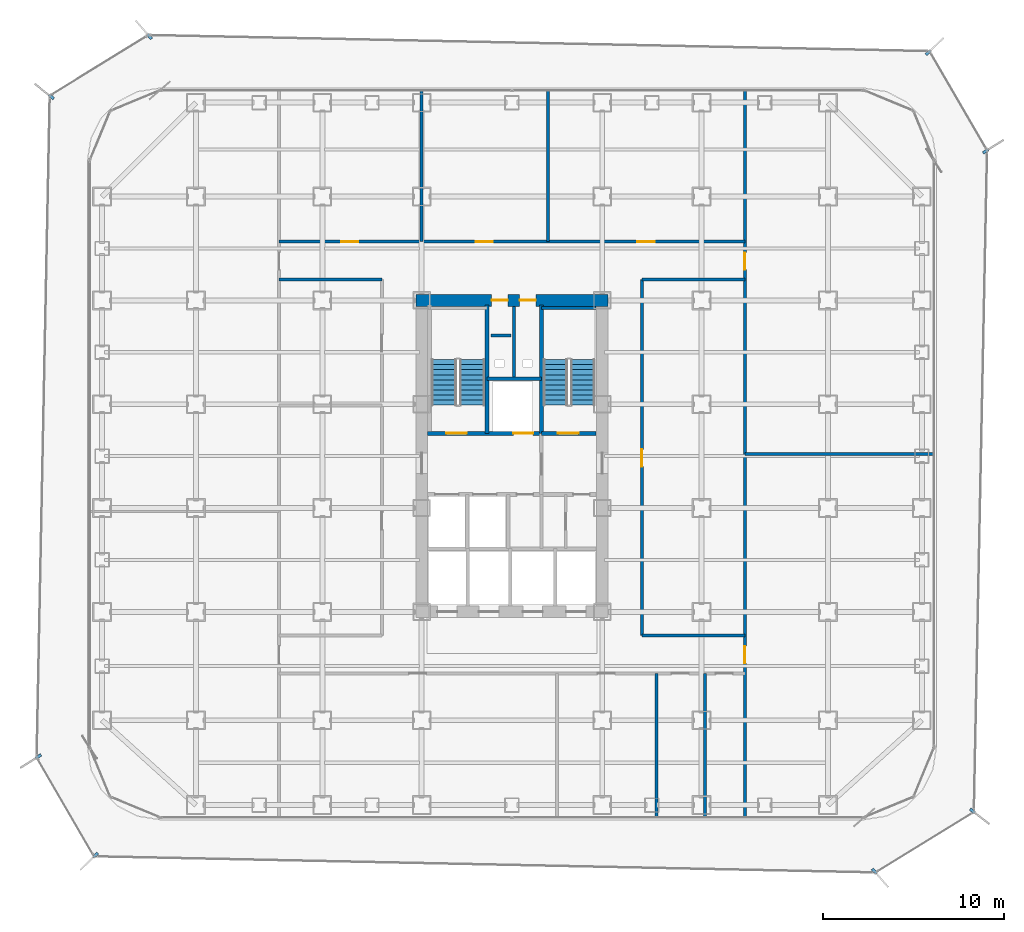
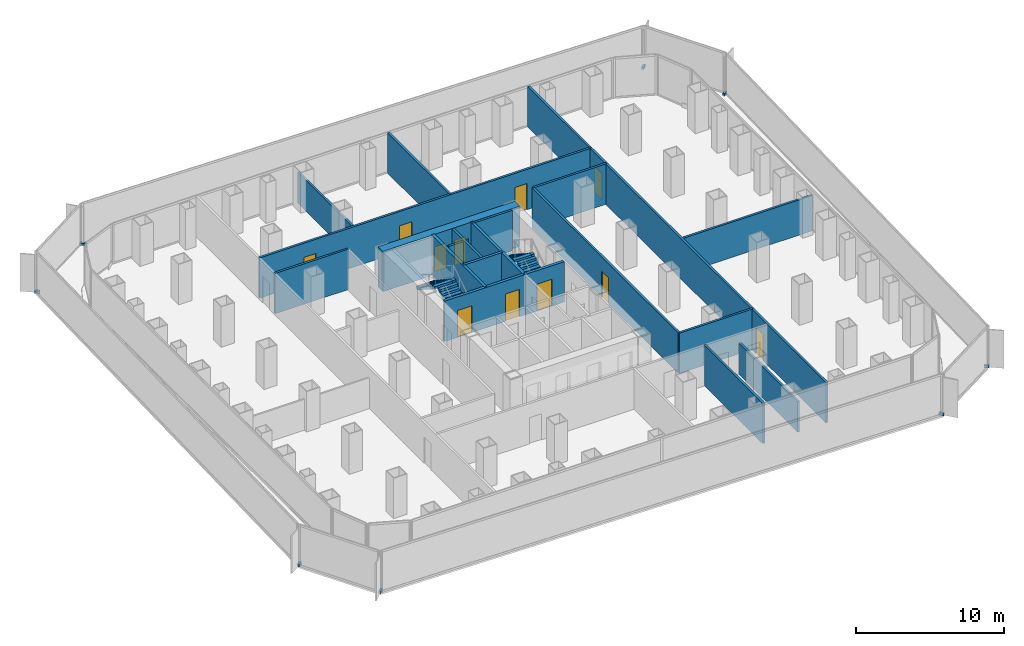
# One storey, part 18 of 21: 20 walls, 11 doors, 8 discrete accessories, 4 stair flights, 11 openings, 2 elements without a shape of their own.
"""IFC4 building model written with IfcOpenShell, lengths in metres."""

from ifc_helpers import new_model, si_unit, direction, frame, frame_2d, origin, origin_2d, place, context, subcontext, project, spatial, polyline, rectangle, outline, extrude, source, transform, mapped, material, layer, layer_set, type_object, element, fill, aggregate, save


model = new_model("IFC4")

# Units and contexts
model_context = context("Model", 3, precision=1e-05, world=origin(), true_north=direction((0.0, 1.0)))
body_context = subcontext(model_context, "Body", "Model", "MODEL_VIEW")
ifc_project = project(units=[si_unit("LENGTHUNIT", "METRE"), si_unit("AREAUNIT", "SQUARE_METRE"), si_unit("VOLUMEUNIT", "CUBIC_METRE"), si_unit("PLANEANGLEUNIT", "RADIAN"), si_unit("MASSUNIT", "GRAM", prefix="KILO")], contexts=[model_context])

# Site, building, storey
site_placement = place(None, origin())
site = spatial("IfcSite", under=ifc_project, at=site_placement, CompositionType="ELEMENT")
building_placement = place(site_placement, origin())
building = spatial("IfcBuilding", under=site, at=building_placement, Name="Kolveth Station Tower", CompositionType="ELEMENT")
storey_placement = place(building_placement, frame((0.0, 0.0, 44.10009765625)))
storey = spatial("IfcBuildingStorey", under=building, at=storey_placement, Name="L11", CompositionType="ELEMENT", Elevation=44.10009765625)

# Wall, openings, doors
ifc_material_1 = material(Name="Concrete C60/75", Category="concrete")
ifc_layer_1 = layer(ifc_material_1, 0.64990234375)
ifc_layer_set_1 = layer_set([ifc_layer_1], Name="Concrete C60/75")
wall_type_1 = type_object("IfcWallType", Name="Wall_CW-650", PredefinedType="SHEAR", material=ifc_layer_set_1)
wall_1_placement = place(storey_placement, frame((18.175048828125, 28.75, 0.0), z_axis=(0.0, 0.0, 1.0), x_axis=(1.0, 0.0, 0.0)))
wall_1 = element("IfcWall", 1, at=wall_1_placement, inside=storey, type_object=wall_type_1, Name="L11 Core RC Shear Wall N", PredefinedType="SHEAR", context=body_context, shape_type="SweptSolid", body=[
    extrude(rectangle(XDim=10.64990234375, YDim=0.64990234375, at=frame_2d((5.324951171875, 0.0))), origin(), (0.0, 0.0, 1.0), 3.31982421875),
])
opening_1_placement = place(wall_1_placement, frame((4.205078125, 0.0, 0.0)))
opening_1 = element("IfcOpeningElement", 2, at=opening_1_placement, cuts=wall_1, Name="Opening RD1", PredefinedType="OPENING", context=body_context, shape_type="SweptSolid", body=[
    extrude(rectangle(XDim=0.89990234375, YDim=2.050048828125, at=frame_2d((0.449951171875, 1.02490234375))), frame((0.0, 0.3349609375, 0.0), z_axis=(0.0, -1.0, 0.0), x_axis=(1.0, 0.0, 0.0)), (0.0, 0.0, 1.0), 0.669921875),
])
opening_2_placement = place(wall_1_placement, frame((5.7451171875, 0.0, 0.0)))
opening_2 = element("IfcOpeningElement", 3, at=opening_2_placement, cuts=wall_1, Name="Opening RD1", PredefinedType="OPENING", context=body_context, shape_type="SweptSolid", body=[
    extrude(rectangle(XDim=0.89990234375, YDim=2.050048828125, at=frame_2d((0.449951171875, 1.02490234375))), frame((0.0, 0.3349609375, 0.0), z_axis=(0.0, -1.0, 0.0), x_axis=(1.0, 0.0, 0.0)), (0.0, 0.0, 1.0), 0.669921875),
])
ifc_material_2 = material(Name="Fire-rated Steel S355 riser access leaf", Category="steel")
door_type_1 = type_object("IfcDoorType", Name="Door_RD1", OperationType="NOTDEFINED", PredefinedType="DOOR", material=ifc_material_2)
door_1_placement = place(opening_1_placement, origin())
door_1 = element("IfcDoor", 4, at=door_1_placement, inside=storey, type_object=door_type_1, Name="L11 Electrical Riser Access Door", OperationType="SINGLE_SWING_LEFT", OverallHeight=2.050048828125, OverallWidth=0.89990234375, PredefinedType="DOOR", context=body_context, shape_type="SweptSolid", body=[
    extrude(rectangle(XDim=0.89990234375, YDim=2.050048828125, at=frame_2d((0.449951171875, 1.02490234375))), frame((0.0, 0.02490234375, 0.0), z_axis=(0.0, -1.0, 0.0), x_axis=(1.0, 0.0, 0.0)), (0.0, 0.0, 1.0), 0.050048828125),
])
fill(opening_1, door_1)
door_2_placement = place(opening_2_placement, origin())
door_2 = element("IfcDoor", 5, at=door_2_placement, inside=storey, type_object=door_type_1, Name="L11 Smoke Duct Access Door", OperationType="SINGLE_SWING_RIGHT", OverallHeight=2.050048828125, OverallWidth=0.89990234375, PredefinedType="DOOR", context=body_context, shape_type="SweptSolid", body=[
    extrude(rectangle(XDim=0.89990234375, YDim=2.050048828125, at=frame_2d((0.449951171875, 1.02490234375))), frame((0.0, 0.02490234375, 0.0), z_axis=(0.0, -1.0, 0.0), x_axis=(1.0, 0.0, 0.0)), (0.0, 0.0, 1.0), 0.050048828125),
])
fill(opening_2, door_2)

# Walls
ifc_material_3 = material(Name="Acoustic double-stud gypsum partition")
ifc_layer_2 = layer(ifc_material_3, 0.1650390625)
ifc_layer_set_2 = layer_set([ifc_layer_2], Name="Acoustic double-stud gypsum partition")
wall_type_2 = type_object("IfcWallType", Name="Wall_IW-165", PredefinedType="PARTITIONING", material=ifc_layer_set_2)
wall_2_placement = place(storey_placement, frame((25.1298828125, 28.3349609375, 0.0), z_axis=(0.0, 0.0, 1.0), x_axis=(1.0, 0.0, 0.0)))
element("IfcWall", 6, at=wall_2_placement, inside=storey, type_object=wall_type_2, Name="L11 Stair Shaft Wall WL-L11-ST2-N", PredefinedType="PARTITIONING", context=body_context, shape_type="SweptSolid", body=[
    extrude(rectangle(XDim=3.03515625, YDim=0.1650390625, at=frame_2d((1.517578125, 0.0))), origin(), (0.0, 0.0, 1.0), 3.31982421875),
])
wall_3_placement = place(storey_placement, frame((23.6201171875, 24.39990234375, 0.0), z_axis=(0.0, 0.0, 1.0), x_axis=(0.0, 1.0, 0.0)))
element("IfcWall", 7, at=wall_3_placement, inside=storey, type_object=wall_type_2, Name="L11 Partition Wall WL-L11-RSR-M", PredefinedType="PARTITIONING", context=body_context, shape_type="SweptSolid", body=[
    extrude(rectangle(XDim=4.01513671875, YDim=0.1650390625, at=frame_2d((2.007568359375, 0.0))), origin(), (0.0, 0.0, 1.0), 3.31982421875),
])

# Wall, openings, doors
wall_4_placement = place(storey_placement, frame((10.60009765625, 32.0, 0.0), z_axis=(0.0, 0.0, 1.0), x_axis=(1.0, 0.0, 0.0)))
wall_4 = element("IfcWall", 8, at=wall_4_placement, inside=storey, type_object=wall_type_2, Name="L11 Partition Wall WL-L11-ON", PredefinedType="PARTITIONING", context=body_context, shape_type="SweptSolid", body=[
    extrude(rectangle(XDim=25.7998046875, YDim=0.1650390625, at=frame_2d((12.89990234375, 0.0))), origin(), (0.0, 0.0, 1.0), 3.31982421875),
])
opening_3_placement = place(wall_4_placement, frame((3.449951171875, 0.0, 0.0)))
opening_3 = element("IfcOpeningElement", 9, at=opening_3_placement, cuts=wall_4, Name="Opening ID1", PredefinedType="OPENING", context=body_context, shape_type="SweptSolid", body=[
    extrude(rectangle(XDim=0.949951171875, YDim=2.14990234375, at=frame_2d((0.47509765625, 1.074951171875))), frame((0.0, 0.092529296875, 0.0), z_axis=(0.0, -1.0, 0.0), x_axis=(1.0, 0.0, 0.0)), (0.0, 0.0, 1.0), 0.18505859375),
])
opening_4_placement = place(wall_4_placement, frame((10.89990234375, 0.0, 0.0)))
opening_4 = element("IfcOpeningElement", 10, at=opening_4_placement, cuts=wall_4, Name="Opening ID1", PredefinedType="OPENING", context=body_context, shape_type="SweptSolid", body=[
    extrude(rectangle(XDim=0.949951171875, YDim=2.14990234375, at=frame_2d((0.47509765625, 1.074951171875))), frame((0.0, 0.092529296875, 0.0), z_axis=(0.0, -1.0, 0.0), x_axis=(1.0, 0.0, 0.0)), (0.0, 0.0, 1.0), 0.18505859375),
])
opening_5_placement = place(wall_4_placement, frame((19.85009765625, 0.0, 0.0)))
opening_5 = element("IfcOpeningElement", 11, at=opening_5_placement, cuts=wall_4, Name="Opening ID1", PredefinedType="OPENING", context=body_context, shape_type="SweptSolid", body=[
    extrude(rectangle(XDim=0.949951171875, YDim=2.14990234375, at=frame_2d((0.47509765625, 1.074951171875))), frame((0.0, 0.092529296875, 0.0), z_axis=(0.0, -1.0, 0.0), x_axis=(1.0, 0.0, 0.0)), (0.0, 0.0, 1.0), 0.18505859375),
])
ifc_material_4 = material(Name="Acoustic hardwood leaf and aluminium frame", Category="wood")
door_type_2 = type_object("IfcDoorType", Name="Door_ID1", OperationType="NOTDEFINED", PredefinedType="DOOR", material=ifc_material_4)
door_3_placement = place(opening_3_placement, origin())
door_3 = element("IfcDoor", 12, at=door_3_placement, inside=storey, type_object=door_type_2, Name="L11 Quiet Study 2 Door", OperationType="SINGLE_SWING_LEFT", OverallHeight=2.14990234375, OverallWidth=0.949951171875, PredefinedType="DOOR", context=body_context, shape_type="SweptSolid", body=[
    extrude(rectangle(XDim=0.949951171875, YDim=2.14990234375, at=frame_2d((0.47509765625, 1.074951171875))), frame((0.0, 0.02490234375, 0.0), z_axis=(0.0, -1.0, 0.0), x_axis=(1.0, 0.0, 0.0)), (0.0, 0.0, 1.0), 0.050048828125),
])
fill(opening_3, door_3)
door_4_placement = place(opening_4_placement, origin())
door_4 = element("IfcDoor", 13, at=door_4_placement, inside=storey, type_object=door_type_2, Name="L11 Focus Booth 3 Door", OperationType="SINGLE_SWING_RIGHT", OverallHeight=2.14990234375, OverallWidth=0.949951171875, PredefinedType="DOOR", context=body_context, shape_type="SweptSolid", body=[
    extrude(rectangle(XDim=0.949951171875, YDim=2.14990234375, at=frame_2d((0.47509765625, 1.074951171875))), frame((0.0, 0.02490234375, 0.0), z_axis=(0.0, -1.0, 0.0), x_axis=(1.0, 0.0, 0.0)), (0.0, 0.0, 1.0), 0.050048828125),
])
fill(opening_4, door_4)
door_5_placement = place(opening_5_placement, origin())
door_5 = element("IfcDoor", 14, at=door_5_placement, inside=storey, type_object=door_type_2, Name="L11 Open Plan Office East-North Door", OperationType="SINGLE_SWING_LEFT", OverallHeight=2.14990234375, OverallWidth=0.949951171875, PredefinedType="DOOR", context=body_context, shape_type="SweptSolid", body=[
    extrude(rectangle(XDim=0.949951171875, YDim=2.14990234375, at=frame_2d((0.47509765625, 1.074951171875))), frame((0.0, 0.02490234375, 0.0), z_axis=(0.0, -1.0, 0.0), x_axis=(1.0, 0.0, 0.0)), (0.0, 0.0, 1.0), 0.050048828125),
])
fill(opening_5, door_5)

# Walls
for number, where, z_axis, x_axis, name in (
    (15, (30.699951171875, 10.199951171875, 0.0), (0.0, 0.0, 1.0), (1.0, 0.0, 0.0), "L11 Partition Wall WL-L11-OSET"),
    (16, (10.60009765625, 29.89990234375, 0.0), (0.0, 0.0, 1.0), (1.0, 0.0, 0.0), "L11 Partition Wall WL-L11-ONWB"),
    (17, (30.699951171875, 29.89990234375, 0.0), (0.0, 0.0, 1.0), (1.0, 0.0, 0.0), "L11 Partition Wall WL-L11-ONEB"),
):
    element("IfcWall", number, at=place(storey_placement, frame(where, z_axis=z_axis, x_axis=x_axis)), inside=storey, type_object=wall_type_2, Name=name, PredefinedType="PARTITIONING", context=body_context, shape_type="SweptSolid", body=[
        extrude(rectangle(XDim=5.699951171875, YDim=0.1650390625, at=frame_2d((2.85009765625, 0.0))), origin(), (0.0, 0.0, 1.0), 3.31982421875),
    ])

# Wall, opening, door
wall_5_placement = place(storey_placement, frame((30.699951171875, 10.199951171875, 0.0), z_axis=(0.0, 0.0, 1.0), x_axis=(0.0, 1.0, 0.0)))
wall_5 = element("IfcWall", 18, at=wall_5_placement, inside=storey, type_object=wall_type_2, Name="L11 Partition Wall WL-L11-OCE", PredefinedType="PARTITIONING", context=body_context, shape_type="SweptSolid", body=[
    extrude(rectangle(XDim=19.699951171875, YDim=0.1650390625, at=frame_2d((9.85009765625, 0.0))), origin(), (0.0, 0.0, 1.0), 3.31982421875),
])
opening_6_placement = place(wall_5_placement, frame((9.35009765625, 0.0, 0.0)))
opening_6 = element("IfcOpeningElement", 19, at=opening_6_placement, cuts=wall_5, Name="Opening ID1", PredefinedType="OPENING", context=body_context, shape_type="SweptSolid", body=[
    extrude(rectangle(XDim=0.949951171875, YDim=2.14990234375, at=frame_2d((0.47509765625, 1.074951171875))), frame((0.0, 0.092529296875, 0.0), z_axis=(0.0, -1.0, 0.0), x_axis=(1.0, 0.0, 0.0)), (0.0, 0.0, 1.0), 0.18505859375),
])
door_6_placement = place(opening_6_placement, origin())
door_6 = element("IfcDoor", 20, at=door_6_placement, inside=storey, type_object=door_type_2, Name="L11 Internal Meeting Room E1 Door", OperationType="SINGLE_SWING_RIGHT", OverallHeight=2.14990234375, OverallWidth=0.949951171875, PredefinedType="DOOR", context=body_context, shape_type="SweptSolid", body=[
    extrude(rectangle(XDim=0.949951171875, YDim=2.14990234375, at=frame_2d((0.47509765625, 1.074951171875))), frame((0.0, 0.02490234375, 0.0), z_axis=(0.0, -1.0, 0.0), x_axis=(1.0, 0.0, 0.0)), (0.0, 0.0, 1.0), 0.050048828125),
])
fill(opening_6, door_6)

# Wall, openings, doors
wall_6_placement = place(storey_placement, frame((36.39990234375, 0.159912109375, 0.0), z_axis=(0.0, 0.0, 1.0), x_axis=(0.0, 1.0, 0.0)))
wall_6 = element("IfcWall", 21, at=wall_6_placement, inside=storey, type_object=wall_type_2, Name="L11 Partition Wall WL-L11-OEEND", PredefinedType="PARTITIONING", context=body_context, shape_type="SweptSolid", body=[
    extrude(rectangle(XDim=40.18017578125, YDim=0.1650390625, at=frame_2d((20.090087890625, 0.0))), origin(), (0.0, 0.0, 1.0), 3.31982421875),
])
opening_7_placement = place(wall_6_placement, frame((8.489990234375, 0.0, 0.0)))
opening_7 = element("IfcOpeningElement", 22, at=opening_7_placement, cuts=wall_6, Name="Opening ID1", PredefinedType="OPENING", context=body_context, shape_type="SweptSolid", body=[
    extrude(rectangle(XDim=0.949951171875, YDim=2.14990234375, at=frame_2d((0.47509765625, 1.074951171875))), frame((0.0, 0.092529296875, 0.0), z_axis=(0.0, -1.0, 0.0), x_axis=(1.0, 0.0, 0.0)), (0.0, 0.0, 1.0), 0.18505859375),
])
opening_8_placement = place(wall_6_placement, frame((30.2900390625, 0.0, 0.0)))
opening_8 = element("IfcOpeningElement", 23, at=opening_8_placement, cuts=wall_6, Name="Opening ID1", PredefinedType="OPENING", context=body_context, shape_type="SweptSolid", body=[
    extrude(rectangle(XDim=0.949951171875, YDim=2.14990234375, at=frame_2d((0.47509765625, 1.074951171875))), frame((0.0, 0.092529296875, 0.0), z_axis=(0.0, -1.0, 0.0), x_axis=(1.0, 0.0, 0.0)), (0.0, 0.0, 1.0), 0.18505859375),
])
door_7_placement = place(opening_7_placement, origin())
door_7 = element("IfcDoor", 24, at=door_7_placement, inside=storey, type_object=door_type_2, Name="L11 East-South Wing Door", OperationType="SINGLE_SWING_RIGHT", OverallHeight=2.14990234375, OverallWidth=0.949951171875, PredefinedType="DOOR", context=body_context, shape_type="SweptSolid", body=[
    extrude(rectangle(XDim=0.949951171875, YDim=2.14990234375, at=frame_2d((0.47509765625, 1.074951171875))), frame((0.0, 0.02490234375, 0.0), z_axis=(0.0, -1.0, 0.0), x_axis=(1.0, 0.0, 0.0)), (0.0, 0.0, 1.0), 0.050048828125),
])
fill(opening_7, door_7)
door_8_placement = place(opening_8_placement, origin())
door_8 = element("IfcDoor", 25, at=door_8_placement, inside=storey, type_object=door_type_2, Name="L11 East-North Wing Door", OperationType="SINGLE_SWING_LEFT", OverallHeight=2.14990234375, OverallWidth=0.949951171875, PredefinedType="DOOR", context=body_context, shape_type="SweptSolid", body=[
    extrude(rectangle(XDim=0.949951171875, YDim=2.14990234375, at=frame_2d((0.47509765625, 1.074951171875))), frame((0.0, 0.02490234375, 0.0), z_axis=(0.0, -1.0, 0.0), x_axis=(1.0, 0.0, 0.0)), (0.0, 0.0, 1.0), 0.050048828125),
])
fill(opening_8, door_8)

# Walls
wall_7_placement = place(storey_placement, frame((31.5, 0.159912109375, 0.0), z_axis=(0.0, 0.0, 1.0), x_axis=(0.0, 1.0, 0.0)))
element("IfcWall", 26, at=wall_7_placement, inside=storey, type_object=wall_type_2, Name="L11 Partition Wall WL-L11-OS-P2", PredefinedType="PARTITIONING", context=body_context, shape_type="SweptSolid", body=[
    extrude(rectangle(XDim=7.940185546875, YDim=0.1650390625, at=frame_2d((3.97021484375, 0.0))), origin(), (0.0, 0.0, 1.0), 3.31982421875),
])
wall_8_placement = place(storey_placement, frame((34.199951171875, 0.159912109375, 0.0), z_axis=(0.0, 0.0, 1.0), x_axis=(0.0, 1.0, 0.0)))
element("IfcWall", 27, at=wall_8_placement, inside=storey, type_object=wall_type_2, Name="L11 Partition Wall WL-L11-OS-P3", PredefinedType="PARTITIONING", context=body_context, shape_type="SweptSolid", body=[
    extrude(rectangle(XDim=7.940185546875, YDim=0.1650390625, at=frame_2d((3.97021484375, 0.0))), origin(), (0.0, 0.0, 1.0), 2.538818359375),
])
wall_9_placement = place(storey_placement, frame((18.5, 32.0, 0.0), z_axis=(0.0, 0.0, 1.0), x_axis=(0.0, 1.0, 0.0)))
element("IfcWall", 28, at=wall_9_placement, inside=storey, type_object=wall_type_2, Name="L11 Partition Wall WL-L11-ON-P1", PredefinedType="PARTITIONING", context=body_context, shape_type="SweptSolid", body=[
    extrude(rectangle(XDim=8.340087890625, YDim=0.1650390625, at=frame_2d((4.169921875, 0.0))), origin(), (0.0, 0.0, 1.0), 2.538818359375),
])
wall_10_placement = place(storey_placement, frame((25.5, 32.0, 0.0), z_axis=(0.0, 0.0, 1.0), x_axis=(0.0, 1.0, 0.0)))
element("IfcWall", 29, at=wall_10_placement, inside=storey, type_object=wall_type_2, Name="L11 Partition Wall WL-L11-ON-P2", PredefinedType="PARTITIONING", context=body_context, shape_type="SweptSolid", body=[
    extrude(rectangle(XDim=8.340087890625, YDim=0.1650390625, at=frame_2d((4.169921875, 0.0))), origin(), (0.0, 0.0, 1.0), 3.31982421875),
])
wall_11_placement = place(storey_placement, frame((36.39990234375, 20.25, 0.0), z_axis=(0.0, 0.0, 1.0), x_axis=(1.0, 0.0, 0.0)))
element("IfcWall", 30, at=wall_11_placement, inside=storey, type_object=wall_type_2, Name="L11 Partition Wall WL-L11-OEM", PredefinedType="PARTITIONING", context=body_context, shape_type="SweptSolid", body=[
    extrude(rectangle(XDim=10.440185546875, YDim=0.1650390625, at=frame_2d((5.22021484375, 0.0))), origin(), (0.0, 0.0, 1.0), 2.89794921875),
])
wall_12_placement = place(storey_placement, frame((22.35009765625, 26.800048828125, 0.0), z_axis=(0.0, 0.0, 1.0), x_axis=(1.0, 0.0, 0.0)))
element("IfcWall", 31, at=wall_12_placement, inside=storey, type_object=wall_type_2, Name="L11 Acoustic Riser Dry-Lining Wall", PredefinedType="PARTITIONING", context=body_context, shape_type="SweptSolid", body=[
    extrude(rectangle(XDim=1.099853515625, YDim=0.1650390625, at=frame_2d((0.5498046875, 0.0))), origin(), (0.0, 0.0, 1.0), 3.31982421875),
])
ifc_material_5 = material(Name="Acoustic fire-rated gypsum blockwork", Category="masonry")
ifc_layer_3 = layer(ifc_material_5, 0.199951171875)
ifc_layer_set_3 = layer_set([ifc_layer_3], Name="Acoustic fire-rated gypsum blockwork")
wall_type_3 = type_object("IfcWallType", Name="Wall_IW-200", PredefinedType="PARTITIONING", material=ifc_layer_set_3)
wall_13_placement = place(storey_placement, frame((22.110107421875, 24.39990234375, 0.0), z_axis=(0.0, 0.0, 1.0), x_axis=(1.0, 0.0, 0.0)))
element("IfcWall", 32, at=wall_13_placement, inside=storey, type_object=wall_type_3, Name="L11 Partition Wall WL-L11-RSR-S", PredefinedType="PARTITIONING", context=body_context, shape_type="SweptSolid", body=[
    extrude(rectangle(XDim=3.019775390625, YDim=0.199951171875, at=frame_2d((1.509765625, 0.0))), origin(), (0.0, 0.0, 1.0), 3.31982421875),
])
ifc_material_6 = material(Name="Concrete C40/50", Category="concrete")
ifc_layer_4 = layer(ifc_material_6, 0.219970703125)
ifc_layer_set_4 = layer_set([ifc_layer_4], Name="Concrete C40/50")
wall_type_4 = type_object("IfcWallType", Name="Wall_IW-220", PredefinedType="SOLIDWALL", material=ifc_layer_set_4)
for number, where, z_axis, x_axis, name in (
    (33, (22.110107421875, 21.389892578125, 0.0), (0.0, 0.0, 1.0), (0.0, 1.0, 0.0), "L11 Stair Shaft Wall WL-L11-ST1-E"),
    (34, (25.1298828125, 21.389892578125, 0.0), (0.0, 0.0, 1.0), (0.0, 1.0, 0.0), "L11 Stair Shaft Wall WL-L11-ST2-W"),
):
    element("IfcWall", number, at=place(storey_placement, frame(where, z_axis=z_axis, x_axis=x_axis)), inside=storey, type_object=wall_type_4, Name=name, PredefinedType="SOLIDWALL", context=body_context, shape_type="SweptSolid", body=[
        extrude(rectangle(XDim=7.110107421875, YDim=0.219970703125, at=frame_2d((3.55517578125, 0.0))), origin(), (0.0, 0.0, 1.0), 3.31982421875),
    ])

# Wall, openings, doors
wall_14_placement = place(storey_placement, frame((18.8349609375, 21.389892578125, 0.0), z_axis=(0.0, 0.0, 1.0), x_axis=(1.0, 0.0, 0.0)))
wall_14 = element("IfcWall", 35, at=wall_14_placement, inside=storey, type_object=wall_type_4, Name="L11 Stair Shaft Wall WL-L11-ST1-S", PredefinedType="SOLIDWALL", context=body_context, shape_type="SweptSolid", body=[
    extrude(rectangle(XDim=6.294921875, YDim=0.219970703125, at=frame_2d((3.1474609375, 0.0))), origin(), (0.0, 0.0, 1.0), 3.31982421875),
])
opening_9_placement = place(wall_14_placement, frame((1.014892578125, 0.0, 0.0)))
opening_9 = element("IfcOpeningElement", 36, at=opening_9_placement, cuts=wall_14, Name="Opening FD1", PredefinedType="OPENING", context=body_context, shape_type="SweptSolid", body=[
    extrude(rectangle(XDim=1.14990234375, YDim=2.199951171875, at=frame_2d((0.574951171875, 1.10009765625))), frame((0.0, 0.119873046875, 0.0), z_axis=(0.0, -1.0, 0.0), x_axis=(1.0, 0.0, 0.0)), (0.0, 0.0, 1.0), 0.239990234375),
])
opening_10_placement = place(wall_14_placement, frame((4.7451171875, 0.0, 0.0)))
opening_10 = element("IfcOpeningElement", 37, at=opening_10_placement, cuts=wall_14, Name="Opening LD1", PredefinedType="OPENING", context=body_context, shape_type="SweptSolid", body=[
    extrude(rectangle(XDim=1.10009765625, YDim=2.25, at=frame_2d((0.550048828125, 1.125))), frame((0.0, 0.119873046875, 0.0), z_axis=(0.0, -1.0, 0.0), x_axis=(1.0, 0.0, 0.0)), (0.0, 0.0, 1.0), 0.239990234375),
])
ifc_material_7 = material(Name="Fire-rated Steel S355 leaf and frame", Category="steel")
door_type_3 = type_object("IfcDoorType", Name="Door_FD1", OperationType="NOTDEFINED", PredefinedType="DOOR", material=ifc_material_7)
door_9_placement = place(opening_9_placement, frame((1.14990234375, 0.0, 0.0), z_axis=(0.0, 0.0, 1.0), x_axis=(-1.0, 0.0, 0.0)))
door_9 = element("IfcDoor", 38, at=door_9_placement, inside=storey, type_object=door_type_3, Name="L11 Stair ST1 Fire Door", OperationType="SINGLE_SWING_LEFT", OverallHeight=2.199951171875, OverallWidth=1.14990234375, PredefinedType="DOOR", context=body_context, shape_type="SweptSolid", body=[
    extrude(rectangle(XDim=1.14990234375, YDim=2.199951171875, at=frame_2d((0.574951171875, 1.10009765625))), frame((0.0, 0.02490234375, 0.0), z_axis=(0.0, -1.0, 0.0), x_axis=(1.0, 0.0, 0.0)), (0.0, 0.0, 1.0), 0.050048828125),
])
fill(opening_9, door_9)
ifc_material_8 = material(Name="Brushed stainless steel sliding landing doors", Category="steel")
door_type_4 = type_object("IfcDoorType", Name="Door_LD1", OperationType="NOTDEFINED", PredefinedType="DOOR", material=ifc_material_8)
door_10_placement = place(opening_10_placement, frame((1.10009765625, 0.0, 0.0), z_axis=(0.0, 0.0, 1.0), x_axis=(-1.0, 0.0, 0.0)))
door_10 = element("IfcDoor", 39, at=door_10_placement, inside=storey, type_object=door_type_4, Name="L11 Service Lift SV1 Landing Door", OperationType="DOUBLE_DOOR_SLIDING", OverallHeight=2.25, OverallWidth=1.10009765625, PredefinedType="DOOR", context=body_context, shape_type="SweptSolid", body=[
    extrude(rectangle(XDim=1.10009765625, YDim=2.25, at=frame_2d((0.550048828125, 1.125))), frame((0.0, 0.02490234375, 0.0), z_axis=(0.0, -1.0, 0.0), x_axis=(1.0, 0.0, 0.0)), (0.0, 0.0, 1.0), 0.050048828125),
])
fill(opening_10, door_10)

# Wall, opening, door
wall_15_placement = place(storey_placement, frame((25.1298828125, 21.389892578125, 0.0), z_axis=(0.0, 0.0, 1.0), x_axis=(1.0, 0.0, 0.0)))
wall_15 = element("IfcWall", 40, at=wall_15_placement, inside=storey, type_object=wall_type_4, Name="L11 Stair Shaft Wall WL-L11-ST2-S", PredefinedType="SOLIDWALL", context=body_context, shape_type="SweptSolid", body=[
    extrude(rectangle(XDim=3.03515625, YDim=0.219970703125, at=frame_2d((1.517578125, 0.0))), origin(), (0.0, 0.0, 1.0), 3.31982421875),
])
opening_11_placement = place(wall_15_placement, frame((0.919921875, 0.0, 0.0)))
opening_11 = element("IfcOpeningElement", 41, at=opening_11_placement, cuts=wall_15, Name="Opening FD1", PredefinedType="OPENING", context=body_context, shape_type="SweptSolid", body=[
    extrude(rectangle(XDim=1.14990234375, YDim=2.199951171875, at=frame_2d((0.574951171875, 1.10009765625))), frame((0.0, 0.119873046875, 0.0), z_axis=(0.0, -1.0, 0.0), x_axis=(1.0, 0.0, 0.0)), (0.0, 0.0, 1.0), 0.239990234375),
])
door_11_placement = place(opening_11_placement, frame((1.14990234375, 0.0, 0.0), z_axis=(0.0, 0.0, 1.0), x_axis=(-1.0, 0.0, 0.0)))
door_11 = element("IfcDoor", 42, at=door_11_placement, inside=storey, type_object=door_type_3, Name="L11 Stair ST2 Fire Door", OperationType="SINGLE_SWING_LEFT", OverallHeight=2.199951171875, OverallWidth=1.14990234375, PredefinedType="DOOR", context=body_context, shape_type="SweptSolid", body=[
    extrude(rectangle(XDim=1.14990234375, YDim=2.199951171875, at=frame_2d((0.574951171875, 1.10009765625))), frame((0.0, 0.02490234375, 0.0), z_axis=(0.0, -1.0, 0.0), x_axis=(1.0, 0.0, 0.0)), (0.0, 0.0, 1.0), 0.050048828125),
])
fill(opening_11, door_11)

# Stair, stair flights
stair_type_1 = type_object("IfcStairType", Name="Stair_ST1", PredefinedType="HALF_TURN_STAIR", material=ifc_material_6)
stair_1_placement = place(storey_placement, origin())
stair_1 = element("IfcStair", 43, at=stair_1_placement, inside=storey, type_object=stair_type_1, Name="L11 Tower Exit Stair ST1", PredefinedType="HALF_TURN_STAIR")
ifc_layer_5 = layer(ifc_material_6, 0.179931640625)
ifc_layer_set_5 = layer_set([ifc_layer_5], Name="Concrete C40/50")
stair_flight_type_1 = type_object("IfcStairFlightType", Name="Flight_ST1", PredefinedType="STRAIGHT", material=ifc_layer_set_5)
stair_flight_1_placement = place(storey_placement, frame((21.300048828125, 22.949951171875, 0.0), z_axis=(0.0, 0.0, 1.0), x_axis=(0.0, 1.0, 0.0)))
stair_flight_1 = element("IfcStairFlight", 44, at=stair_flight_1_placement, type_object=stair_flight_type_1, Name="ST1 flight 1", NumberOfRisers=10, NumberOfTreads=9, PredefinedType="STRAIGHT", RiserHeight=0.18, TreadLength=0.28, context=body_context, shape_type="SweptSolid", body=[
    extrude(outline(polyline([(0.0, 0.0), (0.0, 0.179931640625), (0.280029296875, 0.179931640625), (0.280029296875, 0.360107421875), (0.56005859375, 0.360107421875), (0.56005859375, 0.5400390625), (0.840087890625, 0.5400390625), (0.840087890625, 0.719970703125), (1.1201171875, 0.719970703125), (1.1201171875, 0.89990234375), (1.39990234375, 0.89990234375), (1.39990234375, 1.080078125), (1.679931640625, 1.080078125), (1.679931640625, 1.260009765625), (1.9599609375, 1.260009765625), (1.9599609375, 1.43994140625), (2.239990234375, 1.43994140625), (2.239990234375, 1.6201171875), (2.52001953125, 1.6201171875), (2.52001953125, 1.800048828125), (2.52001953125, 1.44189453125), (0.277099609375, 0.0), (0.0, 0.0)])), frame((0.0, 0.699951171875, 0.0), z_axis=(0.0, -1.0, 0.0), x_axis=(1.0, 0.0, 0.0)), (0.0, 0.0, 1.0), 1.39990234375),
])
stair_flight_2_placement = place(storey_placement, frame((19.739990234375, 25.469970703125, 1.7998046875), z_axis=(0.0, 0.0, 1.0), x_axis=(0.0, -1.0, 0.0)))
stair_flight_2 = element("IfcStairFlight", 45, at=stair_flight_2_placement, type_object=stair_flight_type_1, Name="ST1 flight 2", NumberOfRisers=10, NumberOfTreads=9, PredefinedType="STRAIGHT", RiserHeight=0.18, TreadLength=0.28, context=body_context, shape_type="SweptSolid", body=[
    extrude(outline(polyline([(0.0, 0.0), (0.0, 0.179931640625), (0.280029296875, 0.179931640625), (0.280029296875, 0.360107421875), (0.56005859375, 0.360107421875), (0.56005859375, 0.5400390625), (0.840087890625, 0.5400390625), (0.840087890625, 0.719970703125), (1.1201171875, 0.719970703125), (1.1201171875, 0.89990234375), (1.39990234375, 0.89990234375), (1.39990234375, 1.080078125), (1.679931640625, 1.080078125), (1.679931640625, 1.260009765625), (1.9599609375, 1.260009765625), (1.9599609375, 1.43994140625), (2.239990234375, 1.43994140625), (2.239990234375, 1.6201171875), (2.52001953125, 1.6201171875), (2.52001953125, 1.800048828125), (2.52001953125, 1.44189453125), (0.277099609375, 0.0), (0.0, 0.0)])), frame((0.0, 0.699951171875, 0.0), z_axis=(0.0, -1.0, 0.0), x_axis=(1.0, 0.0, 0.0)), (0.0, 0.0, 1.0), 1.39990234375),
])
aggregate(stair_1, [stair_flight_1, stair_flight_2])

stair_type_2 = type_object("IfcStairType", Name="Stair_ST2", PredefinedType="HALF_TURN_STAIR", material=ifc_material_6)
stair_2_placement = place(storey_placement, origin())
stair_2 = element("IfcStair", 46, at=stair_2_placement, inside=storey, type_object=stair_type_2, Name="L11 Tower Exit Stair ST2", PredefinedType="HALF_TURN_STAIR")
ifc_layer_6 = layer(ifc_material_6, 0.179931640625)
ifc_layer_set_6 = layer_set([ifc_layer_6], Name="Concrete C40/50")
stair_flight_type_2 = type_object("IfcStairFlightType", Name="Flight_ST2", PredefinedType="STRAIGHT", material=ifc_layer_set_6)
stair_flight_3_placement = place(storey_placement, frame((27.425048828125, 22.949951171875, 0.0), z_axis=(0.0, 0.0, 1.0), x_axis=(0.0, 1.0, 0.0)))
stair_flight_3 = element("IfcStairFlight", 47, at=stair_flight_3_placement, type_object=stair_flight_type_2, Name="ST2 flight 1", NumberOfRisers=10, NumberOfTreads=9, PredefinedType="STRAIGHT", RiserHeight=0.18, TreadLength=0.28, context=body_context, shape_type="SweptSolid", body=[
    extrude(outline(polyline([(0.0, 0.0), (0.0, 0.179931640625), (0.280029296875, 0.179931640625), (0.280029296875, 0.360107421875), (0.56005859375, 0.360107421875), (0.56005859375, 0.5400390625), (0.840087890625, 0.5400390625), (0.840087890625, 0.719970703125), (1.1201171875, 0.719970703125), (1.1201171875, 0.89990234375), (1.39990234375, 0.89990234375), (1.39990234375, 1.080078125), (1.679931640625, 1.080078125), (1.679931640625, 1.260009765625), (1.9599609375, 1.260009765625), (1.9599609375, 1.43994140625), (2.239990234375, 1.43994140625), (2.239990234375, 1.6201171875), (2.52001953125, 1.6201171875), (2.52001953125, 1.800048828125), (2.52001953125, 1.44189453125), (0.277099609375, 0.0), (0.0, 0.0)])), frame((0.0, 0.675048828125, 0.0), z_axis=(0.0, -1.0, 0.0), x_axis=(1.0, 0.0, 0.0)), (0.0, 0.0, 1.0), 1.35009765625),
])
stair_flight_4_placement = place(storey_placement, frame((25.9150390625, 25.469970703125, 1.7998046875), z_axis=(0.0, 0.0, 1.0), x_axis=(0.0, -1.0, 0.0)))
stair_flight_4 = element("IfcStairFlight", 48, at=stair_flight_4_placement, type_object=stair_flight_type_2, Name="ST2 flight 2", NumberOfRisers=10, NumberOfTreads=9, PredefinedType="STRAIGHT", RiserHeight=0.18, TreadLength=0.28, context=body_context, shape_type="SweptSolid", body=[
    extrude(outline(polyline([(0.0, 0.0), (0.0, 0.179931640625), (0.280029296875, 0.179931640625), (0.280029296875, 0.360107421875), (0.56005859375, 0.360107421875), (0.56005859375, 0.5400390625), (0.840087890625, 0.5400390625), (0.840087890625, 0.719970703125), (1.1201171875, 0.719970703125), (1.1201171875, 0.89990234375), (1.39990234375, 0.89990234375), (1.39990234375, 1.080078125), (1.679931640625, 1.080078125), (1.679931640625, 1.260009765625), (1.9599609375, 1.260009765625), (1.9599609375, 1.43994140625), (2.239990234375, 1.43994140625), (2.239990234375, 1.6201171875), (2.52001953125, 1.6201171875), (2.52001953125, 1.800048828125), (2.52001953125, 1.44189453125), (0.277099609375, 0.0), (0.0, 0.0)])), frame((0.0, 0.675048828125, 0.0), z_axis=(0.0, -1.0, 0.0), x_axis=(1.0, 0.0, 0.0)), (0.0, 0.0, 1.0), 1.35009765625),
])
aggregate(stair_2, [stair_flight_3, stair_flight_4])

# Discrete accessories
ifc_material_9 = material(Name="Steel S355", Category="steel")
discrete_accessory_type = type_object("IfcDiscreteAccessoryType", Name="Bracket_BK1", PredefinedType="BRACKET", material=ifc_material_9)
shared_shape = source(origin(), body_context, "Body", "SweptSolid", [
    extrude(rectangle(XDim=0.35009765625, YDim=0.159912109375, at=origin_2d()), origin(), (0.0, 0.0, 1.0), 0.219970703125),
])
for number, where, z_axis, x_axis, name in (
    (49, (43.572021484375, -2.862060546875, -0.06005859375), (0.0, 0.0, 1.0), (0.655663774065, -0.755052988457, 0.0), "L11 Double-Skin Radial Tie Bracket 1"),
    (50, (49.010009765625, 0.47607421875, -0.06005859375), (0.0, 0.0, 1.0), (0.790368909154, -0.612631200187, 0.0), "L11 Double-Skin Radial Tie Bracket 2"),
    (51, (49.737060546875, 37.010009765625, -0.06005859375), (0.0, 0.0, 1.0), (0.842734381236, 0.53832960413, 0.0), "L11 Double-Skin Radial Tie Bracket 3"),
    (52, (46.56201171875, 42.47607421875, -0.06005859375), (0.0, 0.0, 1.0), (0.720066850328, 0.69390469883, 0.0), "L11 Double-Skin Radial Tie Bracket 4"),
    (53, (3.427978515625, 43.362060546875, -0.06005859375), (0.0, 0.0, 1.0), (-0.655663774065, 0.755052988457, 0.0), "L11 Double-Skin Radial Tie Bracket 5"),
    (54, (-2.010009765625, 40.02392578125, -0.06005859375), (0.0, 0.0, 1.0), (-0.790368909154, 0.612631200187, 0.0), "L11 Double-Skin Radial Tie Bracket 6"),
    (55, (-2.72998046875, 3.490966796875, -0.06005859375), (0.0, 0.0, 1.0), (-0.84264041216, -0.538476680827, 0.0), "L11 Double-Skin Radial Tie Bracket 7"),
    (56, (0.43798828125, -1.97607421875, -0.06005859375), (0.0, 0.0, 1.0), (-0.720066850328, -0.69390469883, 0.0), "L11 Double-Skin Radial Tie Bracket 8"),
):
    element("IfcDiscreteAccessory", number, at=place(storey_placement, frame(where, z_axis=z_axis, x_axis=x_axis)), inside=storey, type_object=discrete_accessory_type, Name=name, PredefinedType="BRACKET", context=body_context, shape_type="MappedRepresentation", body=[
        mapped(shared_shape, transform((0.0, 0.0, 0.0), x_axis=(1.0, 0.0, 0.0), y_axis=(0.0, 1.0, 0.0), z_axis=(0.0, 0.0, 1.0), scale=1.0)),
    ])

save(model, "model.ifc")
